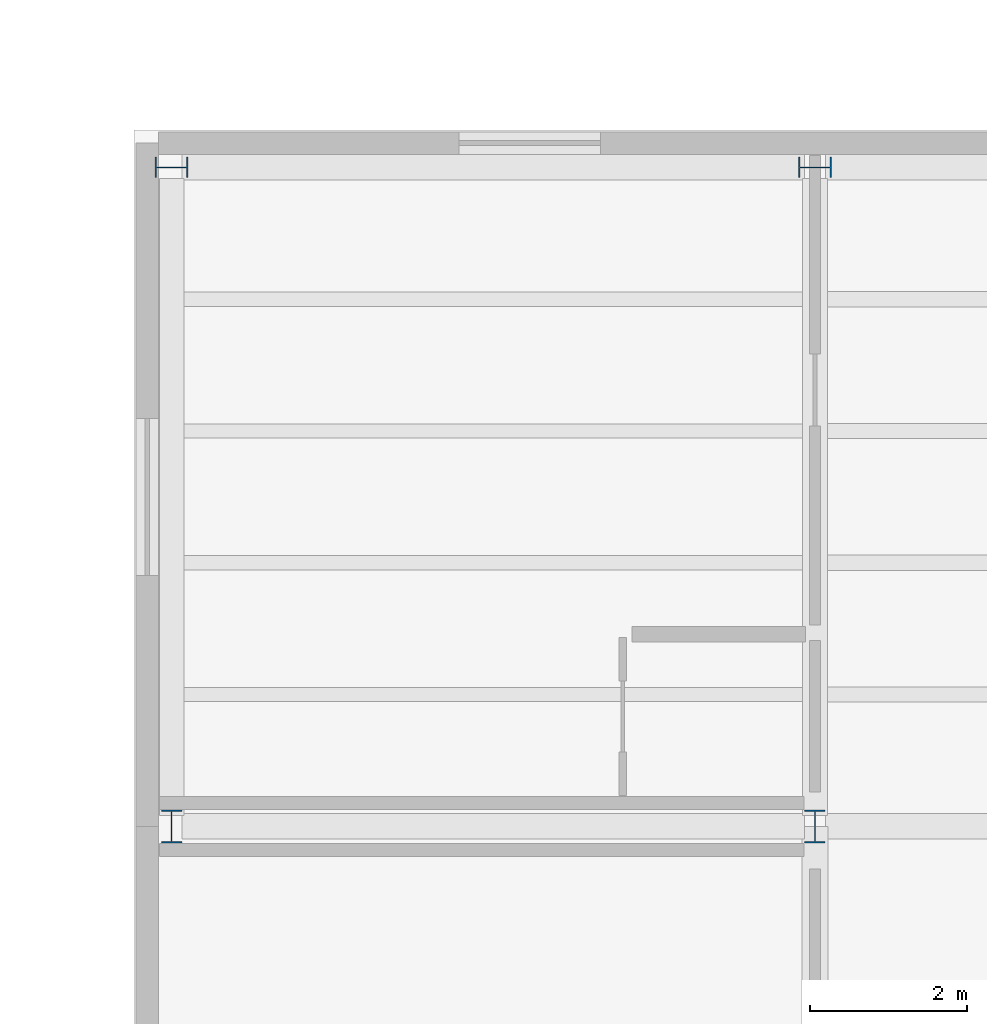
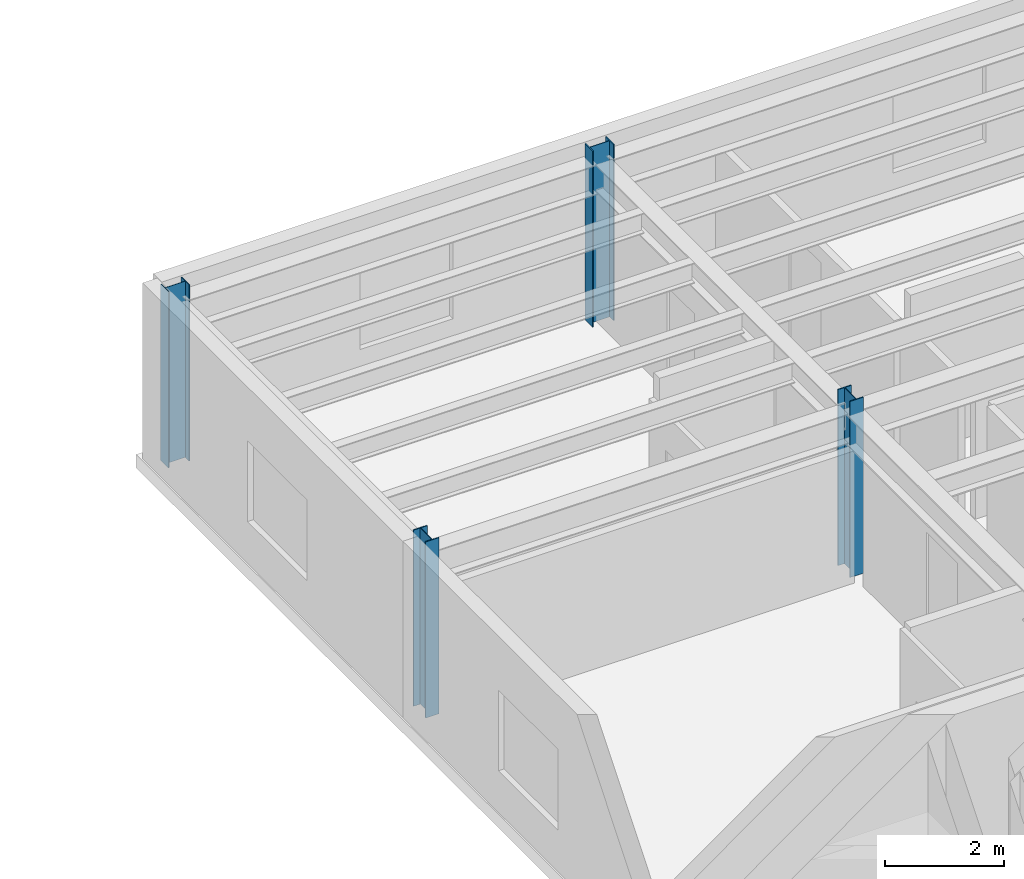
# One storey, part 4 of 27: 4 columns.
"""IFC4 building model written with IfcOpenShell, lengths in metres."""

from ifc_helpers import new_model, si_unit, direction, frame, origin, origin_2d, place, context, subcontext, project, spatial, i_section, extrude, material, material_profile, profile_set, type_object, element, save


model = new_model("IFC4")

# Units and contexts
model_context = context("Model", 3, precision=1e-05, world=origin(), true_north=direction((0.0, 1.0)))
body_context = subcontext(model_context, "Body", "Model", "MODEL_VIEW")
ifc_project = project(units=[si_unit("LENGTHUNIT", "METRE"), si_unit("AREAUNIT", "SQUARE_METRE"), si_unit("VOLUMEUNIT", "CUBIC_METRE"), si_unit("PLANEANGLEUNIT", "RADIAN"), si_unit("MASSUNIT", "GRAM", prefix="KILO")], contexts=[model_context])

# Site, building, storey
site_placement = place(None, origin())
site = spatial("IfcSite", under=ifc_project, at=site_placement, CompositionType="ELEMENT")
building_placement = place(site_placement, origin())
building = spatial("IfcBuilding", under=site, at=building_placement, Name="Sollismere Congress Hotel", CompositionType="ELEMENT")
storey_placement = place(building_placement, frame((0.0, 0.0, 27.0)))
storey = spatial("IfcBuildingStorey", under=building, at=storey_placement, Name="L06", CompositionType="ELEMENT", Elevation=27.0)

# Columns
ifc_material = material(Name="Steel ASTM A992 Grade 50", Category="steel")
ifc_material_profile = material_profile(ifc_material, i_section(OverallWidth=0.261962890625, OverallDepth=0.4189453125, WebThickness=0.01171875, FlangeThickness=0.019287109375, at=origin_2d()), Name="W16X77")
ifc_profile_set = profile_set([ifc_material_profile], Name="Steel ASTM A992 Grade 50")
column_type = type_object("IfcColumnType", Name="COL-W16", PredefinedType="COLUMN", material=ifc_profile_set)
for number, where, z_axis, x_axis, name in (
    (1, (147.199951171875, 58.39990234375, 0.0), (0.0, 0.0, 1.0), (1.0, 0.0, 0.0), "Column CL-L06-839"),
    (2, (147.199951171875, 66.800048828125, 0.0), (0.0, 0.0, 1.0), (0.0, 1.0, 0.0), "Column CL-L06-848"),
    (3, (155.39990234375, 58.39990234375, 0.0), (0.0, 0.0, 1.0), (1.0, 0.0, 0.0), "Column CL-L06-927"),
    (4, (155.39990234375, 66.800048828125, 0.0), (0.0, 0.0, 1.0), (0.0, 1.0, 0.0), "Column CL-L06-936"),
):
    element("IfcColumn", number, at=place(storey_placement, frame(where, z_axis=z_axis, x_axis=x_axis)), inside=storey, type_object=column_type, Name=name, PredefinedType="COLUMN", context=body_context, shape_type="SweptSolid", body=[
        extrude(i_section(OverallWidth=0.261962890625, OverallDepth=0.4189453125, WebThickness=0.01171875, FlangeThickness=0.019287109375, at=origin_2d()), origin(), (0.0, 0.0, 1.0), 3.60009765625),
    ])

save(model, "model.ifc")
